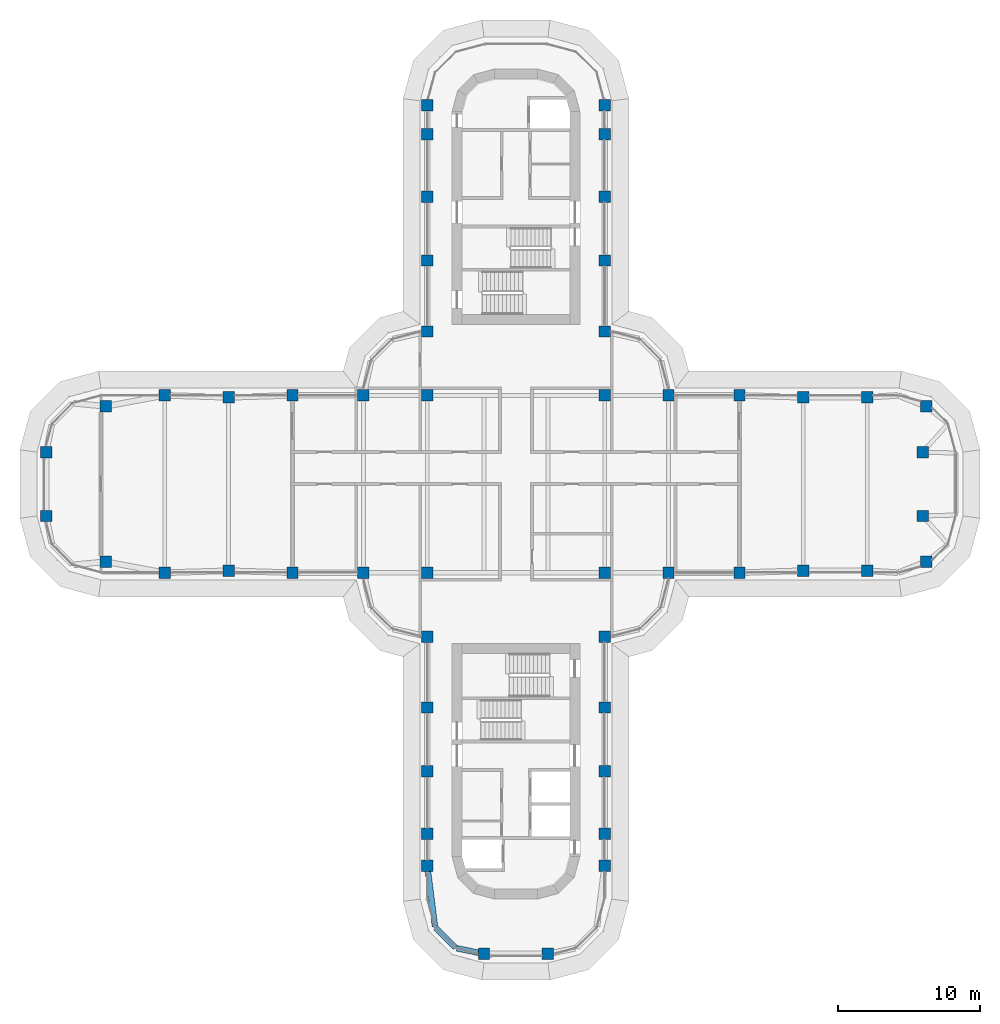
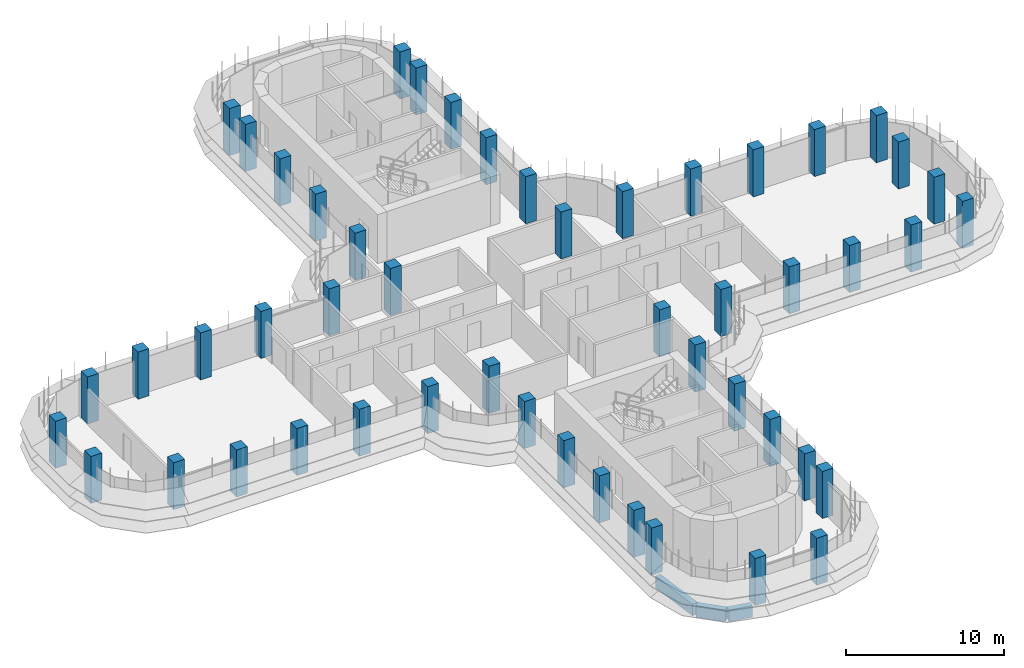
# One storey, part 1 of 20: 50 columns, 3 beams.
"""IFC4 building model written with IfcOpenShell, lengths in metres."""

from ifc_helpers import new_model, si_unit, direction, frame, origin, origin_2d, place, context, subcontext, project, spatial, rectangle, extrude, material, material_profile, profile_set, type_object, element, save


model = new_model("IFC4")

# Units and contexts
model_context = context("Model", 3, precision=1e-05, world=origin(), true_north=direction((0.0, 1.0)))
body_context = subcontext(model_context, "Body", "Model", "MODEL_VIEW")
ifc_project = project(units=[si_unit("LENGTHUNIT", "METRE"), si_unit("AREAUNIT", "SQUARE_METRE"), si_unit("VOLUMEUNIT", "CUBIC_METRE"), si_unit("PLANEANGLEUNIT", "RADIAN"), si_unit("MASSUNIT", "GRAM", prefix="KILO")], contexts=[model_context])

# Site, building, storey
site_placement = place(None, origin())
site = spatial("IfcSite", under=ifc_project, at=site_placement, CompositionType="ELEMENT")
building_placement = place(site_placement, origin())
building = spatial("IfcBuilding", under=site, at=building_placement, Name="Zarbagh Exchange Tower", CompositionType="ELEMENT")
storey_placement = place(building_placement, frame((0.0, 0.0, 148.60009765625)))
storey = spatial("IfcBuildingStorey", under=building, at=storey_placement, Name="L35", CompositionType="ELEMENT", Elevation=148.60009765625)

# Columns
ifc_material = material(Name="Concrete C50/60", Category="concrete")
ifc_material_profile_1 = material_profile(ifc_material, rectangle(XDim=0.800048828125, YDim=0.800048828125, at=origin_2d()), Name="RC column 800 x 800 C50/60")
ifc_profile_set_1 = profile_set([ifc_material_profile_1], Name="Concrete C50/60")
column_type = type_object("IfcColumnType", Name="RC column 800 x 800 C50/60", PredefinedType="COLUMN", material=ifc_profile_set_1)
for number, where, z_axis, x_axis, name in (
    (1, (-33.110107421875, -2.25, 0.0), (0.0, 0.0, 1.0), (1.0, 0.0, 0.0), "C4 10/S"),
    (2, (-33.110107421875, 2.25, 0.0), (0.0, 0.0, 1.0), (1.0, 0.0, 0.0), "C4 10/T"),
    (3, (-28.907958984375, -5.47509765625, 0.0), (0.0, 0.0, 1.0), (1.0, 0.0, 0.0), "C4 11/R"),
    (4, (-28.907958984375, 5.47509765625, 0.0), (0.0, 0.0, 1.0), (1.0, 0.0, 0.0), "C4 11/U"),
    (5, (-24.75, -6.25, 0.0), (0.0, 0.0, 1.0), (1.0, 0.0, 0.0), "C4 12/R"),
    (6, (-24.75, 6.25, 0.0), (0.0, 0.0, 1.0), (1.0, 0.0, 0.0), "C4 12/U"),
    (7, (-20.25, -6.110107421875, 0.0), (0.0, 0.0, 1.0), (1.0, 0.0, 0.0), "C4 13/R"),
    (8, (-20.25, 6.110107421875, 0.0), (0.0, 0.0, 1.0), (1.0, 0.0, 0.0), "C4 13/U"),
    (9, (-15.75, -6.25, 0.0), (0.0, 0.0, 1.0), (1.0, 0.0, 0.0), "C4 14/R"),
    (10, (-15.75, 6.25, 0.0), (0.0, 0.0, 1.0), (1.0, 0.0, 0.0), "C4 14/U"),
    (11, (-10.75, -6.25, 0.0), (0.0, 0.0, 1.0), (1.0, 0.0, 0.0), "C4 15/R"),
    (12, (-10.75, 6.25, 0.0), (0.0, 0.0, 1.0), (1.0, 0.0, 0.0), "C4 15/U"),
    (13, (-6.25, -26.89990234375, 0.0), (0.0, 0.0, 1.0), (1.0, 0.0, 0.0), "C4 16/L"),
    (14, (-6.25, -24.64990234375, 0.0), (0.0, 0.0, 1.0), (1.0, 0.0, 0.0), "C4 16/M"),
    (15, (-6.25, -20.25, 0.0), (0.0, 0.0, 1.0), (1.0, 0.0, 0.0), "C4 16/N"),
    (16, (-6.25, -15.75, 0.0), (0.0, 0.0, 1.0), (1.0, 0.0, 0.0), "C4 16/P"),
    (17, (-6.25, -10.75, 0.0), (0.0, 0.0, 1.0), (1.0, 0.0, 0.0), "C4 16/Q"),
    (18, (-6.25, -6.25, 0.0), (0.0, 0.0, 1.0), (1.0, 0.0, 0.0), "C4 16/R"),
    (19, (-6.25, 6.25, 0.0), (0.0, 0.0, 1.0), (1.0, 0.0, 0.0), "C4 16/U"),
    (20, (-6.25, 10.75, 0.0), (0.0, 0.0, 1.0), (1.0, 0.0, 0.0), "C4 16/V"),
    (21, (-6.25, 15.75, 0.0), (0.0, 0.0, 1.0), (1.0, 0.0, 0.0), "C4 16/W"),
    (22, (-6.25, 20.25, 0.0), (0.0, 0.0, 1.0), (1.0, 0.0, 0.0), "C4 16/X"),
    (23, (-6.25, 24.64990234375, 0.0), (0.0, 0.0, 1.0), (1.0, 0.0, 0.0), "C4 16/Y"),
    (24, (-6.25, 26.699951171875, 0.0), (0.0, 0.0, 1.0), (1.0, 0.0, 0.0), "C4 16/Z"),
    (25, (-2.25, -33.110107421875, 0.0), (0.0, 0.0, 1.0), (1.0, 0.0, 0.0), "C4 17/K"),
    (26, (2.25, -33.110107421875, 0.0), (0.0, 0.0, 1.0), (1.0, 0.0, 0.0), "C4 18/K"),
    (27, (6.25, -26.89990234375, 0.0), (0.0, 0.0, 1.0), (1.0, 0.0, 0.0), "C4 19/L"),
    (28, (6.25, -24.64990234375, 0.0), (0.0, 0.0, 1.0), (1.0, 0.0, 0.0), "C4 19/M"),
    (29, (6.25, -20.25, 0.0), (0.0, 0.0, 1.0), (1.0, 0.0, 0.0), "C4 19/N"),
    (30, (6.25, -15.75, 0.0), (0.0, 0.0, 1.0), (1.0, 0.0, 0.0), "C4 19/P"),
    (31, (6.25, -10.75, 0.0), (0.0, 0.0, 1.0), (1.0, 0.0, 0.0), "C4 19/Q"),
    (32, (6.25, -6.25, 0.0), (0.0, 0.0, 1.0), (1.0, 0.0, 0.0), "C4 19/R"),
    (33, (6.25, 6.25, 0.0), (0.0, 0.0, 1.0), (1.0, 0.0, 0.0), "C4 19/U"),
    (34, (6.25, 10.75, 0.0), (0.0, 0.0, 1.0), (1.0, 0.0, 0.0), "C4 19/V"),
    (35, (6.25, 15.75, 0.0), (0.0, 0.0, 1.0), (1.0, 0.0, 0.0), "C4 19/W"),
    (36, (6.25, 20.25, 0.0), (0.0, 0.0, 1.0), (1.0, 0.0, 0.0), "C4 19/X"),
    (37, (6.25, 24.64990234375, 0.0), (0.0, 0.0, 1.0), (1.0, 0.0, 0.0), "C4 19/Y"),
    (38, (6.25, 26.699951171875, 0.0), (0.0, 0.0, 1.0), (1.0, 0.0, 0.0), "C4 19/Z"),
    (39, (10.75, -6.25, 0.0), (0.0, 0.0, 1.0), (1.0, 0.0, 0.0), "C4 20/R"),
    (40, (10.75, 6.25, 0.0), (0.0, 0.0, 1.0), (1.0, 0.0, 0.0), "C4 20/U"),
    (41, (15.75, -6.25, 0.0), (0.0, 0.0, 1.0), (1.0, 0.0, 0.0), "C4 21/R"),
    (42, (15.75, 6.25, 0.0), (0.0, 0.0, 1.0), (1.0, 0.0, 0.0), "C4 21/U"),
    (43, (20.25, -6.110107421875, 0.0), (0.0, 0.0, 1.0), (1.0, 0.0, 0.0), "C4 22/R"),
    (44, (20.25, 6.110107421875, 0.0), (0.0, 0.0, 1.0), (1.0, 0.0, 0.0), "C4 22/U"),
    (45, (24.75, -6.110107421875, 0.0), (0.0, 0.0, 1.0), (1.0, 0.0, 0.0), "C4 23/R"),
    (46, (24.75, 6.110107421875, 0.0), (0.0, 0.0, 1.0), (1.0, 0.0, 0.0), "C4 23/U"),
    (47, (28.907958984375, -5.47509765625, 0.0), (0.0, 0.0, 1.0), (1.0, 0.0, 0.0), "C4 24/R"),
    (48, (28.669921875, -2.25, 0.0), (0.0, 0.0, 1.0), (1.0, 0.0, 0.0), "C4 24/S"),
    (49, (28.669921875, 2.25, 0.0), (0.0, 0.0, 1.0), (1.0, 0.0, 0.0), "C4 24/T"),
    (50, (28.907958984375, 5.47509765625, 0.0), (0.0, 0.0, 1.0), (1.0, 0.0, 0.0), "C4 24/U"),
):
    element("IfcColumn", number, at=place(storey_placement, frame(where, z_axis=z_axis, x_axis=x_axis)), inside=storey, type_object=column_type, Name=name, PredefinedType="COLUMN", context=body_context, shape_type="SweptSolid", body=[
        extrude(rectangle(XDim=0.800048828125, YDim=0.800048828125, at=origin_2d()), origin(), (0.0, 0.0, 1.0), 3.64990234375),
    ])

# Beams
ifc_material_profile_2 = material_profile(ifc_material, rectangle(XDim=0.39990234375, YDim=0.89990234375, at=origin_2d()), Name="RC spandrel beam 400 x 900 C50/60")
ifc_profile_set_2 = profile_set([ifc_material_profile_2], Name="Concrete C50/60")
beam_type = type_object("IfcBeamType", Name="RC spandrel beam 400 x 900 C50/60", PredefinedType="SPANDREL", material=ifc_profile_set_2)
beam_1_placement = place(storey_placement, frame((-2.6416015625, -33.029052734375, -0.60009765625), z_axis=(-0.979350550491, 0.20216948151, 0.0), x_axis=(-0.20216948151, -0.979350550491, 0.0)))
element("IfcBeam", 51, at=beam_1_placement, inside=storey, type_object=beam_type, Name="RC spandrel beam", PredefinedType="SPANDREL", context=body_context, shape_type="SweptSolid", body=[
    extrude(rectangle(XDim=0.39990234375, YDim=0.89990234375, at=origin_2d()), origin(), (0.0, 0.0, 1.0), 1.573486328125),
])
beam_2_placement = place(storey_placement, frame((-4.283447265625, -32.656494140625, -0.60009765625), z_axis=(-0.707106781187, 0.707106781187, 0.0), x_axis=(-0.707106781187, -0.707106781187, 0.0)))
element("IfcBeam", 52, at=beam_2_placement, inside=storey, type_object=beam_type, Name="RC spandrel beam", PredefinedType="SPANDREL", context=body_context, shape_type="SweptSolid", body=[
    extrude(rectangle(XDim=0.39990234375, YDim=0.89990234375, at=origin_2d()), origin(), (0.0, 0.0, 1.0), 1.93310546875),
])
beam_3_placement = place(storey_placement, frame((-5.70751953125, -31.17333984375, -0.60009765625), z_axis=(-0.125956921243, 0.992035712054, 0.0), x_axis=(-0.992035712054, -0.125956921243, 0.0)))
element("IfcBeam", 53, at=beam_3_placement, inside=storey, type_object=beam_type, Name="RC spandrel beam", PredefinedType="SPANDREL", context=body_context, shape_type="SweptSolid", body=[
    extrude(rectangle(XDim=0.39990234375, YDim=0.89990234375, at=origin_2d()), origin(), (0.0, 0.0, 1.0), 3.907470703125),
])

save(model, "model.ifc")
